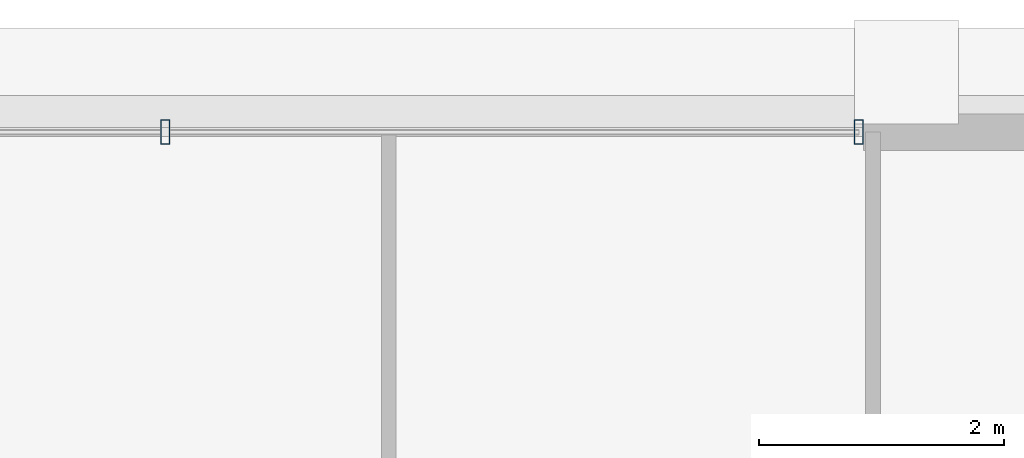
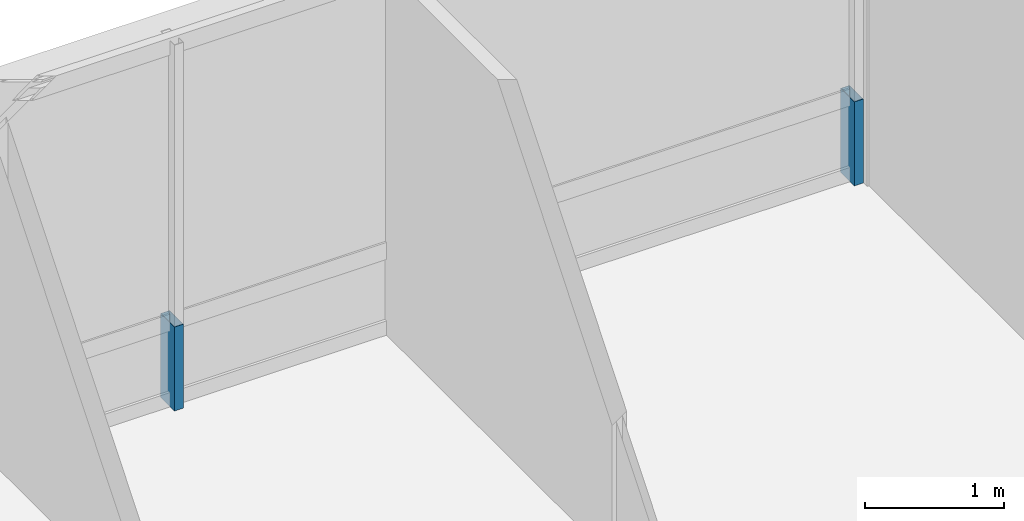
# One storey, part 28 of 35: 2 members, 1 element without a shape of its own.
"""IFC4 building model written with IfcOpenShell, lengths in metres."""

import ifcopenshell
import ifcopenshell.guid

model = None  # the IFC model being written
_history = None  # IfcOwnerHistory: only IFC2X3 demands one
_inside = {}  # id of a spatial element -> (the spatial element, [elements in it])
_under = {}  # id of a project, library or spatial element -> (it, [spatial elements below it])
_declared = {}  # id of a project -> (the project, [libraries it declares])
_typed = {}  # id of a type object -> (the type object, [elements of that type])
_made_of = {}  # id of a material, layer set ... -> (it, [elements and type objects made of it])


def new_model(schema):
    """Start an empty IFC model of exactly this schema.

    Asked for "IFC4X3", IfcOpenShell would pick the latest addendum, in which some entities
    have other attributes; the version numbers below select the first issue.
    IFC2X3 requires an IfcOwnerHistory on every rooted entity: one is made here for all.
    """
    global model, _history
    if schema == "IFC4X3":
        model = ifcopenshell.file(schema_version=(4, 3, 0, 0))
    else:
        model = ifcopenshell.file(schema=schema)
    _inside.clear()
    _under.clear()
    _declared.clear()
    _typed.clear()
    _made_of.clear()
    _history = None
    if model.schema == "IFC2X3":
        org = make("IfcOrganization", Name="unknown")
        user = make(
            "IfcPersonAndOrganization",
            ThePerson=make("IfcPerson", FamilyName="unknown"),
            TheOrganization=org,
        )
        app = make(
            "IfcApplication",
            ApplicationDeveloper=org,
            Version="unknown",
            ApplicationFullName="unknown",
            ApplicationIdentifier="unknown",
        )
        _history = make(
            "IfcOwnerHistory",
            OwningUser=user,
            OwningApplication=app,
            ChangeAction="ADDED",
            CreationDate=0,
        )
    return model


def make(cls, **values):
    """One entity of the class cls with the attributes given. An attribute that is None is left unset."""
    return model.create_entity(
        cls, **{name: value for name, value in values.items() if value is not None}
    )


def rooted(cls, **values):
    """An entity with a GlobalId (a new one), such as an element, a storey or a relation."""
    return make(cls, GlobalId=ifcopenshell.guid.new(), OwnerHistory=_history, **values)


def si_unit(unit_type, name, prefix=None):
    """IfcSIUnit, for example si_unit("LENGTHUNIT", "METRE", prefix="MILLI")."""
    return make("IfcSIUnit", UnitType=unit_type, Prefix=prefix, Name=name)


def assignment(units):
    """IfcUnitAssignment: the units of a project."""
    return None if units is None else make("IfcUnitAssignment", Units=units)


def point(xyz):
    """IfcCartesianPoint."""
    return None if xyz is None else make("IfcCartesianPoint", Coordinates=xyz)


def direction(xyz):
    """IfcDirection."""
    return None if xyz is None else make("IfcDirection", DirectionRatios=xyz)


def frame(location, z_axis=None, x_axis=None):
    """IfcAxis2Placement3D, a coordinate frame: its origin and axes. An axis left out is left unset."""
    return make(
        "IfcAxis2Placement3D",
        Location=point(location),
        Axis=direction(z_axis),
        RefDirection=direction(x_axis),
    )


def frame_2d(location, x_axis=None):
    """IfcAxis2Placement2D, a coordinate frame in the plane: its origin and x axis."""
    return make(
        "IfcAxis2Placement2D", Location=point(location), RefDirection=direction(x_axis)
    )


def origin():
    """The frame at (0, 0, 0) with its axes left unset."""
    return frame((0.0, 0.0, 0.0))


def origin_2d():
    """The frame at (0, 0) in the plane with its x axis left unset."""
    return frame_2d((0.0, 0.0))


def place(relative_to, where):
    """IfcLocalPlacement: puts the frame where relative to a parent placement (None: the world)."""
    return make(
        "IfcLocalPlacement", PlacementRelTo=relative_to, RelativePlacement=where
    )


def context(
    kind, dimensions, precision=None, world=None, true_north=None, identifier=None
):
    """IfcGeometricRepresentationContext, for example the 3D "Model" context."""
    return make(
        "IfcGeometricRepresentationContext",
        ContextIdentifier=identifier,
        ContextType=kind,
        CoordinateSpaceDimension=dimensions,
        Precision=precision,
        WorldCoordinateSystem=world,
        TrueNorth=true_north,
    )


def subcontext(parent, identifier, kind, view, scale=None):
    """IfcGeometricRepresentationSubContext, for example "Body" below "Model"."""
    return make(
        "IfcGeometricRepresentationSubContext",
        ContextIdentifier=identifier,
        ContextType=kind,
        ParentContext=parent,
        TargetScale=scale,
        TargetView=view,
    )


def project(units=None, contexts=None):
    """IfcProject with its units and contexts."""
    return rooted(
        "IfcProject",
        Name="project",
        RepresentationContexts=contexts,
        UnitsInContext=assignment(units),
    )


def spatial(cls, under=None, at=None, **own):
    """A site, building, storey or space (cls), placed at a placement, below another one or the project."""
    s = rooted(cls, ObjectPlacement=at, **own)
    if under is not None:
        _under.setdefault(under.id(), (under, []))[1].append(s)
    return s


def profile(cls, at=None, kind="AREA", **sizes):
    """A parametric profile (cls). Its sizes go by their IFC names, for example OverallWidth=200.0."""
    return make(cls, ProfileType=kind, Position=at, **sizes)


def hollow_rectangle(**sizes):
    """IfcRectangleHollowProfileDef."""
    return profile("IfcRectangleHollowProfileDef", **sizes)


def extrude(swept, where, along, depth):
    """IfcExtrudedAreaSolid: the profile swept, set in the frame where, extruded along a direction by depth."""
    return make(
        "IfcExtrudedAreaSolid",
        SweptArea=swept,
        Position=where,
        ExtrudedDirection=direction(along),
        Depth=depth,
    )


def shape(context_of_items, identifier, shape_type, items):
    """IfcShapeRepresentation: the items that make up one representation, for example the "Body"."""
    return make(
        "IfcShapeRepresentation",
        ContextOfItems=context_of_items,
        RepresentationIdentifier=identifier,
        RepresentationType=shape_type,
        Items=items,
    )


def source(mapping_origin, context_of_items, identifier, shape_type, items):
    """IfcRepresentationMap: a shape defined once, which mapped items show again and again."""
    return make(
        "IfcRepresentationMap",
        MappingOrigin=mapping_origin,
        MappedRepresentation=shape(context_of_items, identifier, shape_type, items),
    )


def transform(
    local_origin,
    x_axis=None,
    y_axis=None,
    z_axis=None,
    scale=None,
    scale2=None,
    scale3=None,
    uniform=True,
):
    """IfcCartesianTransformationOperator3D, or its non-uniform kind. x_axis, y_axis, z_axis: its Axis1, 2, 3."""
    if uniform:
        return make(
            "IfcCartesianTransformationOperator3D",
            Axis1=direction(x_axis),
            Axis2=direction(y_axis),
            LocalOrigin=point(local_origin),
            Scale=scale,
            Axis3=direction(z_axis),
        )
    return make(
        "IfcCartesianTransformationOperator3DnonUniform",
        Axis1=direction(x_axis),
        Axis2=direction(y_axis),
        LocalOrigin=point(local_origin),
        Scale=scale,
        Axis3=direction(z_axis),
        Scale2=scale2,
        Scale3=scale3,
    )


def mapped(mapping_source, mapping_target):
    """IfcMappedItem: shows the shape of a source again, moved by a transform."""
    return make(
        "IfcMappedItem", MappingSource=mapping_source, MappingTarget=mapping_target
    )


def material(Name=None, Category=None):
    """IfcMaterial."""
    return make("IfcMaterial", Name=Name, Category=Category)


def layer(
    of_material, thickness, ventilated=None, Name=None, Category=None, Priority=None
):
    """IfcMaterialLayer: one layer of a wall or slab, of a material (None: an air gap)."""
    return make(
        "IfcMaterialLayer",
        Material=of_material,
        LayerThickness=thickness,
        IsVentilated=ventilated,
        Name=Name,
        Category=Category,
        Priority=Priority,
    )


def layer_set(layers, Name=None):
    """IfcMaterialLayerSet."""
    return make("IfcMaterialLayerSet", MaterialLayers=layers, LayerSetName=Name)


def material_profile(
    of_material, cross_section, Name=None, Category=None, Priority=None
):
    """IfcMaterialProfile: a cross section and its material."""
    return make(
        "IfcMaterialProfile",
        Name=Name,
        Material=of_material,
        Profile=cross_section,
        Priority=Priority,
        Category=Category,
    )


def profile_set(profiles, Name=None, composite=None):
    """IfcMaterialProfileSet."""
    return make(
        "IfcMaterialProfileSet",
        Name=Name,
        MaterialProfiles=profiles,
        CompositeProfile=composite,
    )


def made_of(thing, what):
    """Note that an element or type object is made of a material, layer set ...; save() writes the relation."""
    if what is not None:
        _made_of.setdefault(what.id(), (what, []))[1].append(thing)
    return thing


def type_object(cls, material=None, **own):
    """A type object (cls), such as IfcWallType, which elements share."""
    return made_of(rooted(cls, **own), material)


def element(
    cls,
    number,
    at=None,
    inside=None,
    cuts=None,
    type_object=None,
    material=None,
    context=None,
    identifier="Body",
    shape_type=None,
    held_by="IfcProductDefinitionShape",
    body=None,
    shapes=None,
    **own,
):
    """One element of the class cls, such as IfcWall. Its Tag is "e" and its number.

    at: its placement. inside: the storey or other place that contains it. cuts: it is an
    opening in that element (IfcRelVoidsElement). A single representation is given by context,
    identifier, shape_type and body (its items); several are given by shapes. held_by: the class
    of the entity that holds the representations. save() writes the other relations.
    """
    e = rooted(cls, Tag="e%d" % number, ObjectPlacement=at, **own)
    if body is not None:
        shapes = [shape(context, identifier, shape_type, body)]
    if shapes is not None:
        e.Representation = make(held_by, Representations=shapes)
    if inside is not None:
        _inside.setdefault(inside.id(), (inside, []))[1].append(e)
    if cuts is not None:
        rooted(
            "IfcRelVoidsElement", RelatingBuildingElement=cuts, RelatedOpeningElement=e
        )
    if type_object is not None:
        _typed.setdefault(type_object.id(), (type_object, []))[1].append(e)
    return made_of(e, material)


def aggregate(whole, parts):
    """IfcRelAggregates: a whole, such as a stair, and the parts it consists of."""
    return rooted("IfcRelAggregates", RelatingObject=whole, RelatedObjects=parts)


def save(model, path):
    """Write the relations noted so far, then the file.

    IfcRelAggregates (storeys below a building ...), IfcRelContainedInSpatialStructure (elements
    in a storey), IfcRelDefinesByType, IfcRelAssociatesMaterial and IfcRelDeclares: one each for
    every whole, place, type object, material and project.
    """
    for whole, parts in _under.values():
        aggregate(whole, parts)
    for where, things in _inside.values():
        rooted(
            "IfcRelContainedInSpatialStructure",
            RelatedElements=things,
            RelatingStructure=where,
        )
    for kind, things in _typed.values():
        rooted("IfcRelDefinesByType", RelatedObjects=things, RelatingType=kind)
    for what, things in _made_of.values():
        rooted("IfcRelAssociatesMaterial", RelatedObjects=things, RelatingMaterial=what)
    for by, libraries in _declared.values():
        rooted("IfcRelDeclares", RelatingContext=by, RelatedDefinitions=libraries)
    model.write(path)


model = new_model("IFC4")

# Units and contexts
model_context = context("Model", 3, precision=1e-05, world=origin(), true_north=direction((0.0, 1.0)))
body_context = subcontext(model_context, "Body", "Model", "MODEL_VIEW")
ifc_project = project(units=[si_unit("LENGTHUNIT", "METRE"), si_unit("AREAUNIT", "SQUARE_METRE"), si_unit("VOLUMEUNIT", "CUBIC_METRE"), si_unit("PLANEANGLEUNIT", "RADIAN"), si_unit("MASSUNIT", "GRAM", prefix="KILO"), si_unit("THERMODYNAMICTEMPERATUREUNIT", "KELVIN"), si_unit("POWERUNIT", "WATT")], contexts=[model_context])

# Site, building, storey
site_placement = place(None, origin())
site = spatial("IfcSite", under=ifc_project, at=site_placement, CompositionType="ELEMENT")
building_placement = place(site_placement, origin())
building = spatial("IfcBuilding", under=site, at=building_placement, Name="Yuzanri Waterfront Tower", CompositionType="ELEMENT")
storey_placement = place(building_placement, frame((0.0, 0.0, 303.10009765625)))
storey = spatial("IfcBuildingStorey", under=building, at=storey_placement, Name="L81", CompositionType="ELEMENT", Elevation=303.10009765625)

# Curtain wall, members
ifc_material_1 = material(Name="Anodized Architectural Bronze", Category="metal")
ifc_layer = layer(ifc_material_1, 0.159912109375)
ifc_layer_set = layer_set([ifc_layer], Name="Anodized Architectural Bronze")
curtain_wall_type = type_object("IfcCurtainWallType", Name="Anodized Bronze High-Rise Penthouse High-Wind Unitized Curtain Wall 6900", PredefinedType="NOTDEFINED", material=ifc_layer_set)
curtain_wall_placement = place(storey_placement, origin())
curtain_wall = element("IfcCurtainWall", 1, at=curtain_wall_placement, inside=storey, type_object=curtain_wall_type, Name="L81 Curtain Wall CW-L81-NR", PredefinedType="NOTDEFINED")
ifc_material_2 = material(Name="Anodized Architectural Bronze", Category="metal")
ifc_material_profile = material_profile(ifc_material_2, hollow_rectangle(XDim=0.074951171875, YDim=0.199951171875, WallThickness=0.00390625, at=origin_2d()), Name="CWM 75x200")
ifc_profile_set = profile_set([ifc_material_profile], Name="Anodized Architectural Bronze")
member_type = type_object("IfcMemberType", Name="Anodized Bronze Primary Curtain-Wall Mullion 75x200", PredefinedType="MULLION", material=ifc_profile_set)
shared_shape = source(origin(), body_context, "Body", "SweptSolid", [
    extrude(hollow_rectangle(XDim=0.074951171875, YDim=0.199951171875, WallThickness=0.00390625, at=origin_2d()), origin(), (0.0, 0.0, 1.0), 0.739013671875),
])
member_1_placement = place(storey_placement, frame((43.050048828125, 44.75, 0.0), z_axis=(0.0, 0.0, 1.0), x_axis=(1.0, 0.0, 0.0)))
member_1 = element("IfcMember", 2, at=member_1_placement, type_object=member_type, Name="CW-L81-NR Lower Mullion 01", PredefinedType="MULLION", context=body_context, shape_type="MappedRepresentation", body=[
    mapped(shared_shape, transform((0.0, 0.0, 0.0), scale=1.0)),
])
member_2_placement = place(storey_placement, frame((48.7099609375, 44.75, 0.0), z_axis=(0.0, 0.0, 1.0), x_axis=(1.0, 0.0, 0.0)))
member_2 = element("IfcMember", 3, at=member_2_placement, type_object=member_type, Name="CW-L81-NR Lower Mullion 02", PredefinedType="MULLION", context=body_context, shape_type="MappedRepresentation", body=[
    mapped(shared_shape, transform((0.0, 0.0, 0.0), scale=1.0)),
])
aggregate(curtain_wall, [member_1, member_2])

save(model, "model.ifc")
